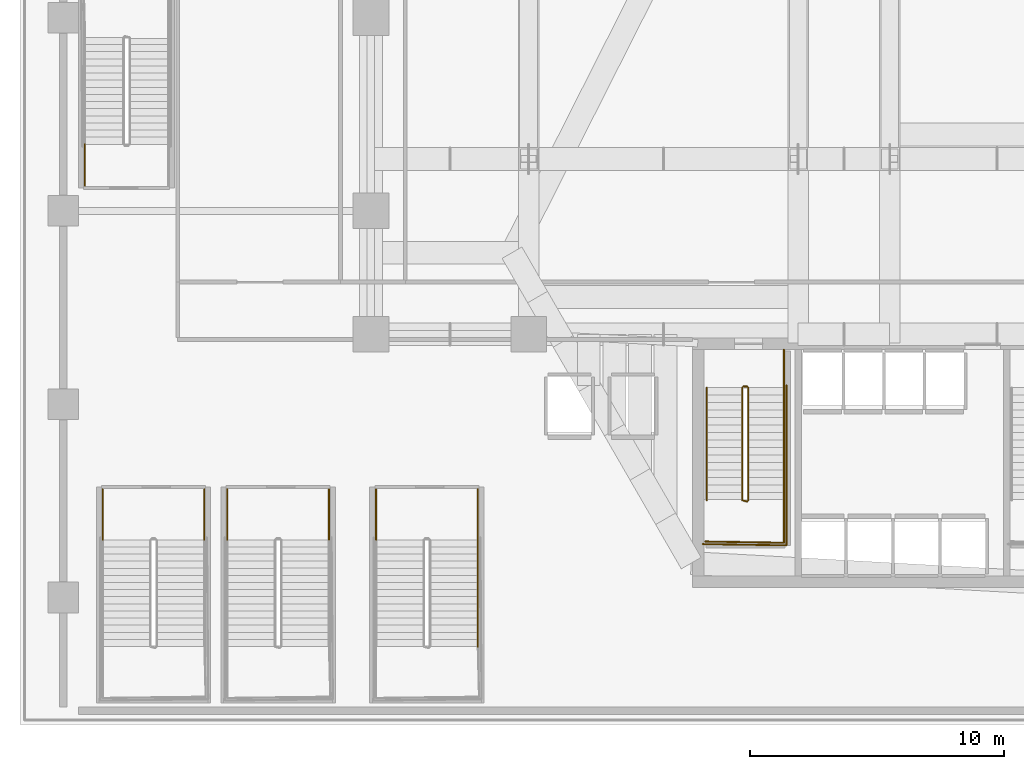
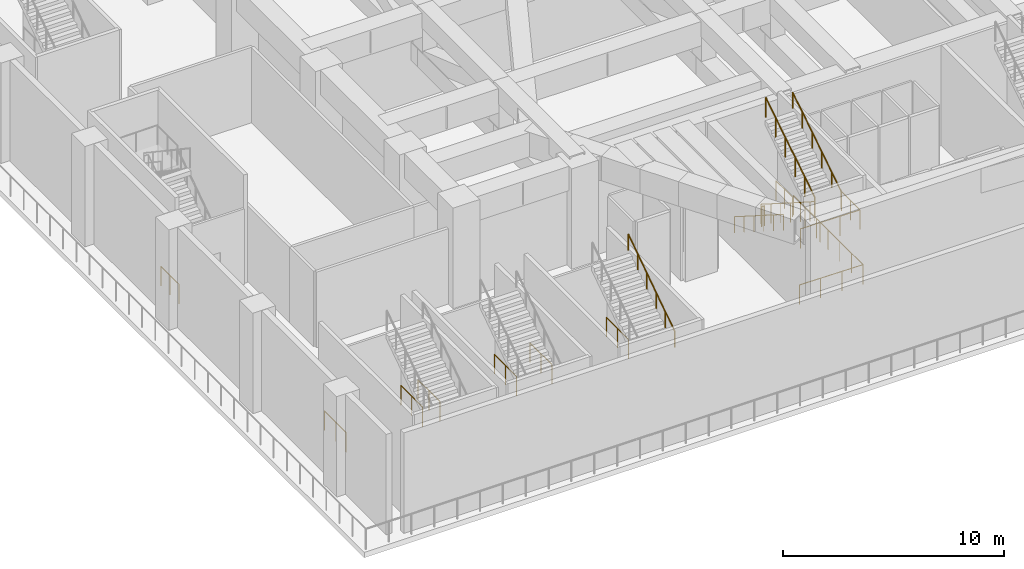
# One storey, part 16 of 27: 16 railings.
"""IFC4 building model written with IfcOpenShell, lengths in metres."""

from ifc_helpers import new_model, si_unit, direction, frame, origin, origin_2d, place, context, subcontext, project, spatial, circle, extrude, material, layer, layer_set, type_object, element, save


model = new_model("IFC4")

# Units and contexts
model_context = context("Model", 3, precision=1e-05, world=origin(), true_north=direction((0.0, 1.0)))
body_context = subcontext(model_context, "Body", "Model", "MODEL_VIEW")
ifc_project = project(units=[si_unit("LENGTHUNIT", "METRE"), si_unit("AREAUNIT", "SQUARE_METRE"), si_unit("VOLUMEUNIT", "CUBIC_METRE"), si_unit("PLANEANGLEUNIT", "RADIAN"), si_unit("MASSUNIT", "GRAM", prefix="KILO")], contexts=[model_context])

# Site, building, storey
site_placement = place(None, origin())
site = spatial("IfcSite", under=ifc_project, at=site_placement, CompositionType="ELEMENT")
building_placement = place(site_placement, origin())
building = spatial("IfcBuilding", under=site, at=building_placement, Name="Ndaravel Arena Tower", CompositionType="ELEMENT")
storey_placement = place(building_placement, frame((0.0, 0.0, 24.0)))
storey = spatial("IfcBuildingStorey", under=building, at=storey_placement, Name="L04", CompositionType="ELEMENT", Elevation=24.0)

# Railings
ifc_material_1 = material(Name="Steel S355", Category="steel")
ifc_layer_1 = layer(ifc_material_1, 0.06005859375)
ifc_layer_set_1 = layer_set([ifc_layer_1], Name="Steel S355")
railing_type_1 = type_object("IfcRailingType", Name="RAIL-STAIR-GD1100", PredefinedType="GUARDRAIL", material=ifc_layer_set_1)
railing_1_placement = place(storey_placement, frame((28.39990234375, 13.25, 0.1875)))
element("IfcRailing", 1, at=railing_1_placement, inside=storey, type_object=railing_type_1, Name="L04 ST-1 stair guard 1", PredefinedType="GUARDRAIL", context=body_context, shape_type="SweptSolid", body=[
    extrude(circle(Radius=0.02392578125, at=origin_2d()), frame((0.0, 0.0, 1.076171875), z_axis=(0.0, -0.843958541447, 0.536408408136), x_axis=(1.0, 0.0, 0.0)), (0.0, 0.0, 1.0), 5.2431640625),
    extrude(circle(Radius=0.02392578125, at=origin_2d()), frame((0.0, -4.425048828125, 3.888671875), z_axis=(0.967074537263, -0.25449329928, 0.0), x_axis=(0.25449329928, 0.967074537263, 0.0)), (0.0, 0.0, 1.0), 0.19677734375),
    extrude(circle(Radius=0.02099609375, at=origin_2d()), origin(), (0.0, 0.0, 1.0), 1.052001953125),
    extrude(circle(Radius=0.02099609375, at=origin_2d()), frame((0.0, -0.885009765625, 0.5625)), (0.0, 0.0, 1.0), 1.052001953125),
    extrude(circle(Radius=0.02099609375, at=origin_2d()), frame((0.0, -1.77001953125, 1.125)), (0.0, 0.0, 1.0), 1.052001953125),
    extrude(circle(Radius=0.02099609375, at=origin_2d()), frame((0.0, -2.655029296875, 1.6875)), (0.0, 0.0, 1.0), 1.052001953125),
    extrude(circle(Radius=0.02099609375, at=origin_2d()), frame((0.0, -3.5400390625, 2.25)), (0.0, 0.0, 1.0), 1.052001953125),
    extrude(circle(Radius=0.02099609375, at=origin_2d()), frame((0.0, -4.425048828125, 2.8125)), (0.0, 0.0, 1.0), 1.052001953125),
    extrude(circle(Radius=0.02099609375, at=origin_2d()), frame((0.190185546875, -4.47509765625, 2.8125)), (0.0, 0.0, 1.0), 1.052001953125),
])
railing_2_placement = place(storey_placement, frame((30.0400390625, 8.824951171875, 3.0)))
element("IfcRailing", 2, at=railing_2_placement, inside=storey, type_object=railing_type_1, Name="L04 ST-1 stair guard 2", PredefinedType="GUARDRAIL", context=body_context, shape_type="SweptSolid", body=[
    extrude(circle(Radius=0.02392578125, at=origin_2d()), frame((0.0, 0.0, 1.076171875), z_axis=(0.0, -1.0, 0.0), x_axis=(1.0, 0.0, 0.0)), (0.0, 0.0, 1.0), 1.675048828125),
    extrude(circle(Radius=0.02392578125, at=origin_2d()), frame((0.0, -1.675048828125, 1.076171875), z_axis=(-0.999868861343, 0.016194447071, 0.0), x_axis=(-0.016194447071, -0.999868861343, 0.0)), (0.0, 0.0, 1.0), 3.090576171875),
    extrude(circle(Radius=0.02099609375, at=origin_2d()), origin(), (0.0, 0.0, 1.0), 1.052001953125),
    extrude(circle(Radius=0.02099609375, at=origin_2d()), frame((0.0, -0.83740234375, 0.0)), (0.0, 0.0, 1.0), 1.052001953125),
    extrude(circle(Radius=0.02099609375, at=origin_2d()), frame((0.0, -1.675048828125, 0.0)), (0.0, 0.0, 1.0), 1.052001953125),
    extrude(circle(Radius=0.02099609375, at=origin_2d()), frame((-1.030029296875, -1.658447265625, 0.0)), (0.0, 0.0, 1.0), 1.052001953125),
    extrude(circle(Radius=0.02099609375, at=origin_2d()), frame((-2.06005859375, -1.6416015625, 0.0)), (0.0, 0.0, 1.0), 1.052001953125),
    extrude(circle(Radius=0.02099609375, at=origin_2d()), frame((-3.090087890625, -1.625, 0.0)), (0.0, 0.0, 1.0), 1.052001953125),
])
railing_3_placement = place(storey_placement, frame((28.639892578125, 8.824951171875, 3.1875)))
element("IfcRailing", 3, at=railing_3_placement, inside=storey, type_object=railing_type_1, Name="L04 ST-1 stair guard 3", PredefinedType="GUARDRAIL", context=body_context, shape_type="SweptSolid", body=[
    extrude(circle(Radius=0.02392578125, at=origin_2d()), frame((0.0, 0.0, 1.076171875), z_axis=(0.0, 0.843958541447, 0.536408408136), x_axis=(-1.0, 0.0, 0.0)), (0.0, 0.0, 1.0), 5.2431640625),
    extrude(circle(Radius=0.02099609375, at=origin_2d()), origin(), (0.0, 0.0, 1.0), 1.052001953125),
    extrude(circle(Radius=0.02099609375, at=origin_2d()), frame((0.0, 0.885009765625, 0.5625)), (0.0, 0.0, 1.0), 1.052001953125),
    extrude(circle(Radius=0.02099609375, at=origin_2d()), frame((0.0, 1.77001953125, 1.125)), (0.0, 0.0, 1.0), 1.052001953125),
    extrude(circle(Radius=0.02099609375, at=origin_2d()), frame((0.0, 2.655029296875, 1.6875)), (0.0, 0.0, 1.0), 1.052001953125),
    extrude(circle(Radius=0.02099609375, at=origin_2d()), frame((0.0, 3.5400390625, 2.25)), (0.0, 0.0, 1.0), 1.052001953125),
    extrude(circle(Radius=0.02099609375, at=origin_2d()), frame((0.0, 4.425048828125, 2.8125)), (0.0, 0.0, 1.0), 1.052001953125),
])
railing_4_placement = place(storey_placement, frame((28.449951171875, 13.300048828125, 0.0)))
element("IfcRailing", 4, at=railing_4_placement, inside=storey, type_object=railing_type_1, Name="L04 ST-1 stair guard 4", PredefinedType="GUARDRAIL", context=body_context, shape_type="SweptSolid", body=[
    extrude(circle(Radius=0.02392578125, at=origin_2d()), frame((0.0, 0.0, 1.076171875), z_axis=(1.0, 0.0, 0.0), x_axis=(0.0, 1.0, 0.0)), (0.0, 0.0, 1.0), 0.14013671875),
    extrude(circle(Radius=0.02099609375, at=origin_2d()), origin(), (0.0, 0.0, 1.0), 1.052001953125),
    extrude(circle(Radius=0.02099609375, at=origin_2d()), frame((0.14013671875, 0.0, 0.0)), (0.0, 0.0, 1.0), 1.052001953125),
])
railing_5_placement = place(storey_placement, frame((30.0400390625, 14.75, 0.0)))
element("IfcRailing", 5, at=railing_5_placement, inside=storey, type_object=railing_type_1, Name="L04 ST-1 stair guard 5", PredefinedType="GUARDRAIL", context=body_context, shape_type="SweptSolid", body=[
    extrude(circle(Radius=0.02392578125, at=origin_2d()), frame((0.0, 0.0, 1.076171875), z_axis=(0.0, -1.0, 0.0), x_axis=(1.0, 0.0, 0.0)), (0.0, 0.0, 1.0), 1.5),
    extrude(circle(Radius=0.02099609375, at=origin_2d()), origin(), (0.0, 0.0, 1.0), 1.052001953125),
    extrude(circle(Radius=0.02099609375, at=origin_2d()), frame((0.0, -0.75, 0.0)), (0.0, 0.0, 1.0), 1.052001953125),
    extrude(circle(Radius=0.02099609375, at=origin_2d()), frame((0.0, -1.5, 0.0)), (0.0, 0.0, 1.0), 1.052001953125),
])
railing_6_placement = place(storey_placement, frame((30.139892578125, 13.35009765625, 0.0)))
element("IfcRailing", 6, at=railing_6_placement, inside=storey, type_object=railing_type_1, Name="L04 ST-1 stair guard 6", PredefinedType="GUARDRAIL", context=body_context, shape_type="SweptSolid", body=[
    extrude(circle(Radius=0.02392578125, at=origin_2d()), frame((0.0, 0.0, 1.076171875), z_axis=(0.0, -1.0, 0.0), x_axis=(1.0, 0.0, 0.0)), (0.0, 0.0, 1.0), 6.300048828125),
    extrude(circle(Radius=0.02392578125, at=origin_2d()), frame((0.0, -6.300048828125, 1.076171875), z_axis=(-0.999884296952, 0.015211597839, 0.0), x_axis=(-0.015211597839, -0.999884296952, 0.0)), (0.0, 0.0, 1.0), 3.290283203125),
    extrude(circle(Radius=0.02099609375, at=origin_2d()), origin(), (0.0, 0.0, 1.0), 1.052001953125),
    extrude(circle(Radius=0.02099609375, at=origin_2d()), frame((0.0, -1.050048828125, 0.0)), (0.0, 0.0, 1.0), 1.052001953125),
    extrude(circle(Radius=0.02099609375, at=origin_2d()), frame((0.0, -2.10009765625, 0.0)), (0.0, 0.0, 1.0), 1.052001953125),
    extrude(circle(Radius=0.02099609375, at=origin_2d()), frame((0.0, -3.14990234375, 0.0)), (0.0, 0.0, 1.0), 1.052001953125),
    extrude(circle(Radius=0.02099609375, at=origin_2d()), frame((0.0, -4.199951171875, 0.0)), (0.0, 0.0, 1.0), 1.052001953125),
    extrude(circle(Radius=0.02099609375, at=origin_2d()), frame((0.0, -5.25, 0.0)), (0.0, 0.0, 1.0), 1.052001953125),
    extrude(circle(Radius=0.02099609375, at=origin_2d()), frame((0.0, -6.300048828125, 0.0)), (0.0, 0.0, 1.0), 1.052001953125),
    extrude(circle(Radius=0.02099609375, at=origin_2d()), frame((-1.0966796875, -6.283447265625, 0.0)), (0.0, 0.0, 1.0), 1.052001953125),
    extrude(circle(Radius=0.02099609375, at=origin_2d()), frame((-2.193115234375, -6.2666015625, 0.0)), (0.0, 0.0, 1.0), 1.052001953125),
    extrude(circle(Radius=0.02099609375, at=origin_2d()), frame((-3.289794921875, -6.25, 0.0)), (0.0, 0.0, 1.0), 1.052001953125),
])
for number, where, name in (
    (7, (3.25, 9.25, 0.0), "L04 ST-A01 stair guard 5"),
    (8, (7.25, 9.25, 0.0), "L04 ST-A01 stair guard 6"),
    (9, (8.14990234375, 9.25, 0.0), "L04 ST-A02 stair guard 5"),
    (10, (12.14990234375, 9.25, 0.0), "L04 ST-A02 stair guard 6"),
    (11, (14.0, 9.25, 0.0), "L04 ST-A03 stair guard 5"),
    (12, (18.0, 9.25, 0.0), "L04 ST-A03 stair guard 6"),
):
    element("IfcRailing", number, at=place(storey_placement, frame(where)), inside=storey, type_object=railing_type_1, Name=name, PredefinedType="GUARDRAIL", context=body_context, shape_type="SweptSolid", body=[
        extrude(circle(Radius=0.02392578125, at=origin_2d()), frame((0.0, 0.0, 1.076171875), z_axis=(0.0, -1.0, 0.0), x_axis=(1.0, 0.0, 0.0)), (0.0, 0.0, 1.0), 1.97998046875),
        extrude(circle(Radius=0.02099609375, at=origin_2d()), origin(), (0.0, 0.0, 1.0), 1.052001953125),
        extrude(circle(Radius=0.02099609375, at=origin_2d()), frame((0.0, -0.989990234375, 0.0)), (0.0, 0.0, 1.0), 1.052001953125),
        extrude(circle(Radius=0.02099609375, at=origin_2d()), frame((0.0, -1.97998046875, 0.0)), (0.0, 0.0, 1.0), 1.052001953125),
    ])
railing_7_placement = place(storey_placement, frame((2.550048828125, 21.199951171875, 0.0)))
element("IfcRailing", 13, at=railing_7_placement, inside=storey, type_object=railing_type_1, Name="L04 ST-A07 stair guard 6", PredefinedType="GUARDRAIL", context=body_context, shape_type="SweptSolid", body=[
    extrude(circle(Radius=0.02392578125, at=origin_2d()), frame((0.0, 0.0, 1.076171875), z_axis=(0.0, 1.0, 0.0), x_axis=(-1.0, 0.0, 0.0)), (0.0, 0.0, 1.0), 1.6201171875),
    extrude(circle(Radius=0.02099609375, at=origin_2d()), origin(), (0.0, 0.0, 1.0), 1.052001953125),
    extrude(circle(Radius=0.02099609375, at=origin_2d()), frame((0.0, 0.81005859375, 0.0)), (0.0, 0.0, 1.0), 1.052001953125),
    extrude(circle(Radius=0.02099609375, at=origin_2d()), frame((0.0, 1.6201171875, 0.0)), (0.0, 0.0, 1.0), 1.052001953125),
])
ifc_material_2 = material(Name="Steel S355", Category="steel")
ifc_layer_2 = layer(ifc_material_2, 0.050048828125)
ifc_layer_set_2 = layer_set([ifc_layer_2], Name="Steel S355")
railing_type_2 = type_object("IfcRailingType", Name="RAIL-STAIR-HR920", PredefinedType="HANDRAIL", material=ifc_layer_set_2)
railing_8_placement = place(storey_placement, frame((27.0, 13.25, 0.1875)))
element("IfcRailing", 14, at=railing_8_placement, inside=storey, type_object=railing_type_2, Name="L04 ST-1 stair handrail 1", PredefinedType="HANDRAIL", context=body_context, shape_type="SweptSolid", body=[
    extrude(circle(Radius=0.02392578125, at=origin_2d()), frame((0.0, 0.0, 0.8759765625), z_axis=(0.0, -0.843958541447, 0.536408408136), x_axis=(1.0, 0.0, 0.0)), (0.0, 0.0, 1.0), 5.2431640625),
    extrude(circle(Radius=0.02099609375, at=origin_2d()), origin(), (0.0, 0.0, 1.0), 0.851806640625),
    extrude(circle(Radius=0.02099609375, at=origin_2d()), frame((0.0, -0.885009765625, 0.5625)), (0.0, 0.0, 1.0), 0.851806640625),
    extrude(circle(Radius=0.02099609375, at=origin_2d()), frame((0.0, -1.77001953125, 1.125)), (0.0, 0.0, 1.0), 0.851806640625),
    extrude(circle(Radius=0.02099609375, at=origin_2d()), frame((0.0, -2.655029296875, 1.6875)), (0.0, 0.0, 1.0), 0.851806640625),
    extrude(circle(Radius=0.02099609375, at=origin_2d()), frame((0.0, -3.5400390625, 2.25)), (0.0, 0.0, 1.0), 0.851806640625),
    extrude(circle(Radius=0.02099609375, at=origin_2d()), frame((0.0, -4.425048828125, 2.8125)), (0.0, 0.0, 1.0), 0.851806640625),
])
railing_9_placement = place(storey_placement, frame((30.0400390625, 8.824951171875, 3.1875)))
element("IfcRailing", 15, at=railing_9_placement, inside=storey, type_object=railing_type_2, Name="L04 ST-1 stair handrail 2", PredefinedType="HANDRAIL", context=body_context, shape_type="SweptSolid", body=[
    extrude(circle(Radius=0.02392578125, at=origin_2d()), frame((0.0, 0.0, 0.8759765625), z_axis=(0.0, 0.843958541447, 0.536408408136), x_axis=(-1.0, 0.0, 0.0)), (0.0, 0.0, 1.0), 5.2431640625),
    extrude(circle(Radius=0.02099609375, at=origin_2d()), origin(), (0.0, 0.0, 1.0), 0.851806640625),
    extrude(circle(Radius=0.02099609375, at=origin_2d()), frame((0.0, 0.885009765625, 0.5625)), (0.0, 0.0, 1.0), 0.851806640625),
    extrude(circle(Radius=0.02099609375, at=origin_2d()), frame((0.0, 1.77001953125, 1.125)), (0.0, 0.0, 1.0), 0.851806640625),
    extrude(circle(Radius=0.02099609375, at=origin_2d()), frame((0.0, 2.655029296875, 1.6875)), (0.0, 0.0, 1.0), 0.851806640625),
    extrude(circle(Radius=0.02099609375, at=origin_2d()), frame((0.0, 3.5400390625, 2.25)), (0.0, 0.0, 1.0), 0.851806640625),
    extrude(circle(Radius=0.02099609375, at=origin_2d()), frame((0.0, 4.425048828125, 2.8125)), (0.0, 0.0, 1.0), 0.851806640625),
])
railing_10_placement = place(storey_placement, frame((18.0, 3.070068359375, 3.1875)))
element("IfcRailing", 16, at=railing_10_placement, inside=storey, type_object=railing_type_2, Name="L04 ST-A03 stair handrail 2", PredefinedType="HANDRAIL", context=body_context, shape_type="SweptSolid", body=[
    extrude(circle(Radius=0.02392578125, at=origin_2d()), frame((0.0, 0.0, 0.8759765625), z_axis=(0.0, 0.830904186295, 0.556415522067), x_axis=(-1.0, 0.0, 0.0)), (0.0, 0.0, 1.0), 5.0546875),
    extrude(circle(Radius=0.02099609375, at=origin_2d()), origin(), (0.0, 0.0, 1.0), 0.851806640625),
    extrude(circle(Radius=0.02099609375, at=origin_2d()), frame((0.0, 0.840087890625, 0.5625)), (0.0, 0.0, 1.0), 0.851806640625),
    extrude(circle(Radius=0.02099609375, at=origin_2d()), frame((0.0, 1.679931640625, 1.125)), (0.0, 0.0, 1.0), 0.851806640625),
    extrude(circle(Radius=0.02099609375, at=origin_2d()), frame((0.0, 2.52001953125, 1.6875)), (0.0, 0.0, 1.0), 0.851806640625),
    extrude(circle(Radius=0.02099609375, at=origin_2d()), frame((0.0, 3.35986328125, 2.25)), (0.0, 0.0, 1.0), 0.851806640625),
    extrude(circle(Radius=0.02099609375, at=origin_2d()), frame((0.0, 4.199951171875, 2.8125)), (0.0, 0.0, 1.0), 0.851806640625),
])

save(model, "model.ifc")
